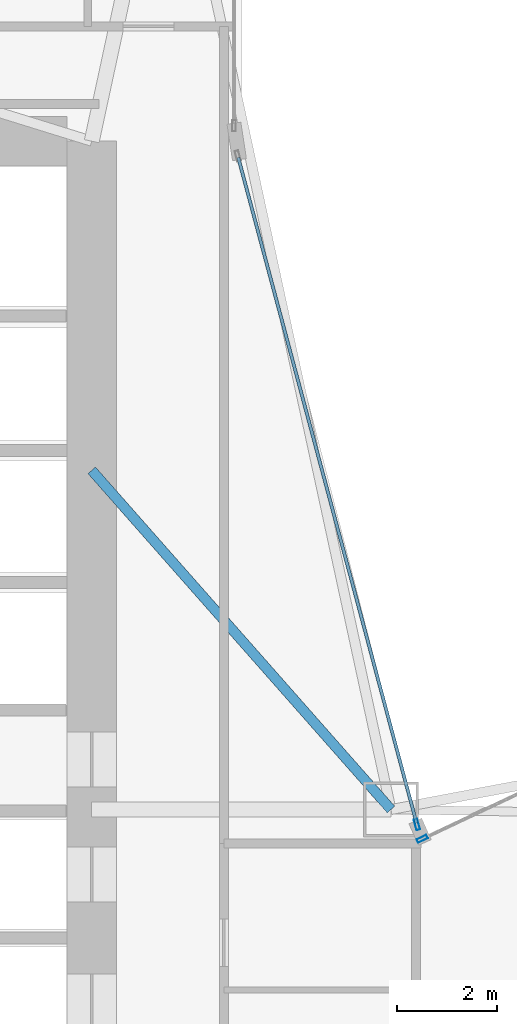
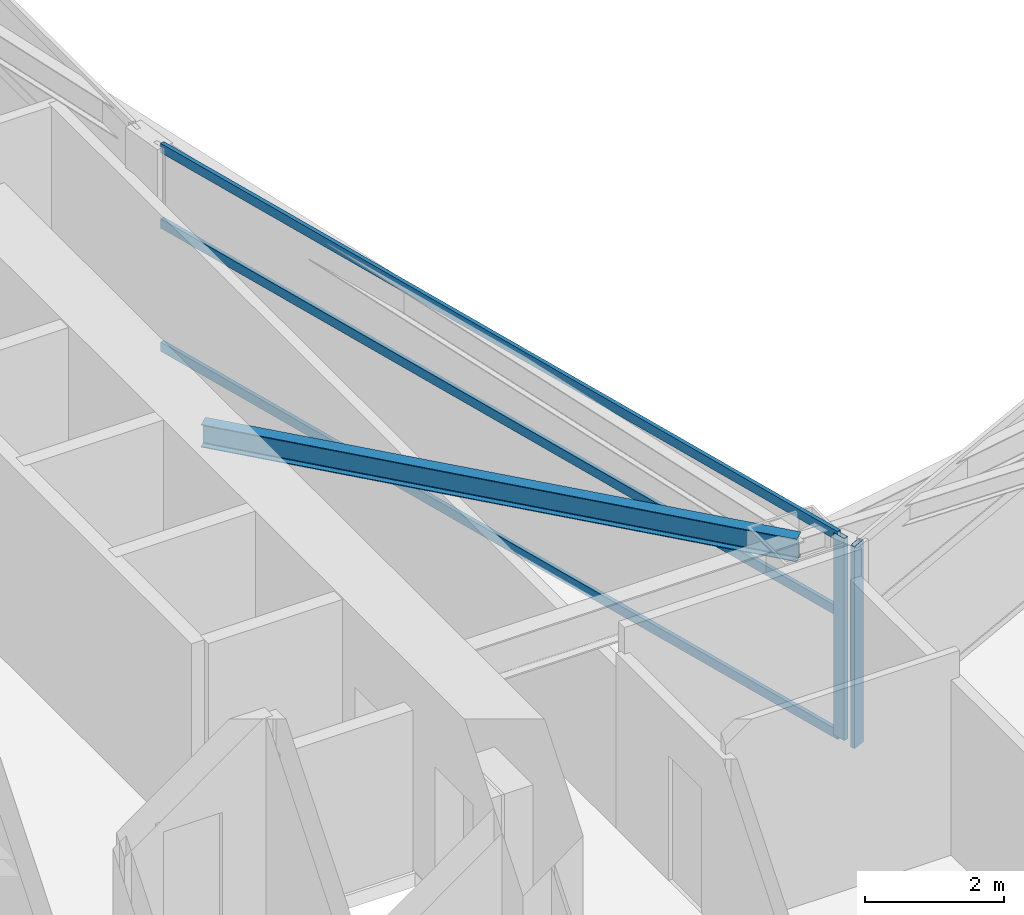
# One storey, part 10 of 30: 5 members, 1 beam, 2 elements without a shape of their own.
"""IFC4 building model written with IfcOpenShell, lengths in metres."""

import ifcopenshell
import ifcopenshell.guid

model = None  # the IFC model being written
_history = None  # IfcOwnerHistory: only IFC2X3 demands one
_inside = {}  # id of a spatial element -> (the spatial element, [elements in it])
_under = {}  # id of a project, library or spatial element -> (it, [spatial elements below it])
_declared = {}  # id of a project -> (the project, [libraries it declares])
_typed = {}  # id of a type object -> (the type object, [elements of that type])
_made_of = {}  # id of a material, layer set ... -> (it, [elements and type objects made of it])


def new_model(schema):
    """Start an empty IFC model of exactly this schema.

    Asked for "IFC4X3", IfcOpenShell would pick the latest addendum, in which some entities
    have other attributes; the version numbers below select the first issue.
    IFC2X3 requires an IfcOwnerHistory on every rooted entity: one is made here for all.
    """
    global model, _history
    if schema == "IFC4X3":
        model = ifcopenshell.file(schema_version=(4, 3, 0, 0))
    else:
        model = ifcopenshell.file(schema=schema)
    _inside.clear()
    _under.clear()
    _declared.clear()
    _typed.clear()
    _made_of.clear()
    _history = None
    if model.schema == "IFC2X3":
        org = make("IfcOrganization", Name="unknown")
        user = make(
            "IfcPersonAndOrganization",
            ThePerson=make("IfcPerson", FamilyName="unknown"),
            TheOrganization=org,
        )
        app = make(
            "IfcApplication",
            ApplicationDeveloper=org,
            Version="unknown",
            ApplicationFullName="unknown",
            ApplicationIdentifier="unknown",
        )
        _history = make(
            "IfcOwnerHistory",
            OwningUser=user,
            OwningApplication=app,
            ChangeAction="ADDED",
            CreationDate=0,
        )
    return model


def make(cls, **values):
    """One entity of the class cls with the attributes given. An attribute that is None is left unset."""
    return model.create_entity(
        cls, **{name: value for name, value in values.items() if value is not None}
    )


def rooted(cls, **values):
    """An entity with a GlobalId (a new one), such as an element, a storey or a relation."""
    return make(cls, GlobalId=ifcopenshell.guid.new(), OwnerHistory=_history, **values)


def si_unit(unit_type, name, prefix=None):
    """IfcSIUnit, for example si_unit("LENGTHUNIT", "METRE", prefix="MILLI")."""
    return make("IfcSIUnit", UnitType=unit_type, Prefix=prefix, Name=name)


def assignment(units):
    """IfcUnitAssignment: the units of a project."""
    return None if units is None else make("IfcUnitAssignment", Units=units)


def point(xyz):
    """IfcCartesianPoint."""
    return None if xyz is None else make("IfcCartesianPoint", Coordinates=xyz)


def direction(xyz):
    """IfcDirection."""
    return None if xyz is None else make("IfcDirection", DirectionRatios=xyz)


def frame(location, z_axis=None, x_axis=None):
    """IfcAxis2Placement3D, a coordinate frame: its origin and axes. An axis left out is left unset."""
    return make(
        "IfcAxis2Placement3D",
        Location=point(location),
        Axis=direction(z_axis),
        RefDirection=direction(x_axis),
    )


def frame_2d(location, x_axis=None):
    """IfcAxis2Placement2D, a coordinate frame in the plane: its origin and x axis."""
    return make(
        "IfcAxis2Placement2D", Location=point(location), RefDirection=direction(x_axis)
    )


def origin():
    """The frame at (0, 0, 0) with its axes left unset."""
    return frame((0.0, 0.0, 0.0))


def origin_2d():
    """The frame at (0, 0) in the plane with its x axis left unset."""
    return frame_2d((0.0, 0.0))


def place(relative_to, where):
    """IfcLocalPlacement: puts the frame where relative to a parent placement (None: the world)."""
    return make(
        "IfcLocalPlacement", PlacementRelTo=relative_to, RelativePlacement=where
    )


def context(
    kind, dimensions, precision=None, world=None, true_north=None, identifier=None
):
    """IfcGeometricRepresentationContext, for example the 3D "Model" context."""
    return make(
        "IfcGeometricRepresentationContext",
        ContextIdentifier=identifier,
        ContextType=kind,
        CoordinateSpaceDimension=dimensions,
        Precision=precision,
        WorldCoordinateSystem=world,
        TrueNorth=true_north,
    )


def subcontext(parent, identifier, kind, view, scale=None):
    """IfcGeometricRepresentationSubContext, for example "Body" below "Model"."""
    return make(
        "IfcGeometricRepresentationSubContext",
        ContextIdentifier=identifier,
        ContextType=kind,
        ParentContext=parent,
        TargetScale=scale,
        TargetView=view,
    )


def project(units=None, contexts=None):
    """IfcProject with its units and contexts."""
    return rooted(
        "IfcProject",
        Name="project",
        RepresentationContexts=contexts,
        UnitsInContext=assignment(units),
    )


def spatial(cls, under=None, at=None, **own):
    """A site, building, storey or space (cls), placed at a placement, below another one or the project."""
    s = rooted(cls, ObjectPlacement=at, **own)
    if under is not None:
        _under.setdefault(under.id(), (under, []))[1].append(s)
    return s


def profile(cls, at=None, kind="AREA", **sizes):
    """A parametric profile (cls). Its sizes go by their IFC names, for example OverallWidth=200.0."""
    return make(cls, ProfileType=kind, Position=at, **sizes)


def hollow_rectangle(**sizes):
    """IfcRectangleHollowProfileDef."""
    return profile("IfcRectangleHollowProfileDef", **sizes)


def i_section(**sizes):
    """IfcIShapeProfileDef."""
    return profile("IfcIShapeProfileDef", **sizes)


def extrude(swept, where, along, depth):
    """IfcExtrudedAreaSolid: the profile swept, set in the frame where, extruded along a direction by depth."""
    return make(
        "IfcExtrudedAreaSolid",
        SweptArea=swept,
        Position=where,
        ExtrudedDirection=direction(along),
        Depth=depth,
    )


def shape(context_of_items, identifier, shape_type, items):
    """IfcShapeRepresentation: the items that make up one representation, for example the "Body"."""
    return make(
        "IfcShapeRepresentation",
        ContextOfItems=context_of_items,
        RepresentationIdentifier=identifier,
        RepresentationType=shape_type,
        Items=items,
    )


def material(Name=None, Category=None):
    """IfcMaterial."""
    return make("IfcMaterial", Name=Name, Category=Category)


def layer(
    of_material, thickness, ventilated=None, Name=None, Category=None, Priority=None
):
    """IfcMaterialLayer: one layer of a wall or slab, of a material (None: an air gap)."""
    return make(
        "IfcMaterialLayer",
        Material=of_material,
        LayerThickness=thickness,
        IsVentilated=ventilated,
        Name=Name,
        Category=Category,
        Priority=Priority,
    )


def layer_set(layers, Name=None):
    """IfcMaterialLayerSet."""
    return make("IfcMaterialLayerSet", MaterialLayers=layers, LayerSetName=Name)


def material_profile(
    of_material, cross_section, Name=None, Category=None, Priority=None
):
    """IfcMaterialProfile: a cross section and its material."""
    return make(
        "IfcMaterialProfile",
        Name=Name,
        Material=of_material,
        Profile=cross_section,
        Priority=Priority,
        Category=Category,
    )


def profile_set(profiles, Name=None, composite=None):
    """IfcMaterialProfileSet."""
    return make(
        "IfcMaterialProfileSet",
        Name=Name,
        MaterialProfiles=profiles,
        CompositeProfile=composite,
    )


def made_of(thing, what):
    """Note that an element or type object is made of a material, layer set ...; save() writes the relation."""
    if what is not None:
        _made_of.setdefault(what.id(), (what, []))[1].append(thing)
    return thing


def type_object(cls, material=None, **own):
    """A type object (cls), such as IfcWallType, which elements share."""
    return made_of(rooted(cls, **own), material)


def element(
    cls,
    number,
    at=None,
    inside=None,
    cuts=None,
    type_object=None,
    material=None,
    context=None,
    identifier="Body",
    shape_type=None,
    held_by="IfcProductDefinitionShape",
    body=None,
    shapes=None,
    **own,
):
    """One element of the class cls, such as IfcWall. Its Tag is "e" and its number.

    at: its placement. inside: the storey or other place that contains it. cuts: it is an
    opening in that element (IfcRelVoidsElement). A single representation is given by context,
    identifier, shape_type and body (its items); several are given by shapes. held_by: the class
    of the entity that holds the representations. save() writes the other relations.
    """
    e = rooted(cls, Tag="e%d" % number, ObjectPlacement=at, **own)
    if body is not None:
        shapes = [shape(context, identifier, shape_type, body)]
    if shapes is not None:
        e.Representation = make(held_by, Representations=shapes)
    if inside is not None:
        _inside.setdefault(inside.id(), (inside, []))[1].append(e)
    if cuts is not None:
        rooted(
            "IfcRelVoidsElement", RelatingBuildingElement=cuts, RelatedOpeningElement=e
        )
    if type_object is not None:
        _typed.setdefault(type_object.id(), (type_object, []))[1].append(e)
    return made_of(e, material)


def aggregate(whole, parts):
    """IfcRelAggregates: a whole, such as a stair, and the parts it consists of."""
    return rooted("IfcRelAggregates", RelatingObject=whole, RelatedObjects=parts)


def save(model, path):
    """Write the relations noted so far, then the file.

    IfcRelAggregates (storeys below a building ...), IfcRelContainedInSpatialStructure (elements
    in a storey), IfcRelDefinesByType, IfcRelAssociatesMaterial and IfcRelDeclares: one each for
    every whole, place, type object, material and project.
    """
    for whole, parts in _under.values():
        aggregate(whole, parts)
    for where, things in _inside.values():
        rooted(
            "IfcRelContainedInSpatialStructure",
            RelatedElements=things,
            RelatingStructure=where,
        )
    for kind, things in _typed.values():
        rooted("IfcRelDefinesByType", RelatedObjects=things, RelatingType=kind)
    for what, things in _made_of.values():
        rooted("IfcRelAssociatesMaterial", RelatedObjects=things, RelatingMaterial=what)
    for by, libraries in _declared.values():
        rooted("IfcRelDeclares", RelatingContext=by, RelatedDefinitions=libraries)
    model.write(path)


model = new_model("IFC4")

# Units and contexts
model_context = context("Model", 3, precision=1e-05, world=origin(), true_north=direction((0.0, 1.0)))
body_context = subcontext(model_context, "Body", "Model", "MODEL_VIEW")
ifc_project = project(units=[si_unit("LENGTHUNIT", "METRE"), si_unit("AREAUNIT", "SQUARE_METRE"), si_unit("VOLUMEUNIT", "CUBIC_METRE"), si_unit("PLANEANGLEUNIT", "RADIAN"), si_unit("MASSUNIT", "GRAM", prefix="KILO")], contexts=[model_context])

# Site, building, storey
site_placement = place(None, origin())
site = spatial("IfcSite", under=ifc_project, at=site_placement, CompositionType="ELEMENT")
building_placement = place(site_placement, origin())
building = spatial("IfcBuilding", under=site, at=building_placement, Name="Calvorn Quay Hotel", CompositionType="ELEMENT")
storey_placement = place(building_placement, frame((0.0, 0.0, 54.60009765625)))
storey = spatial("IfcBuildingStorey", under=building, at=storey_placement, Name="L12", CompositionType="ELEMENT", Elevation=54.60009765625)

# Beam
ifc_material_1 = material(Name="Steel Q355B", Category="steel")
ifc_material_profile_1 = material_profile(ifc_material_1, i_section(OverallWidth=0.199951171875, OverallDepth=0.39990234375, WebThickness=0.008056640625, FlangeThickness=0.012939453125, FilletRadius=0.01611328125, at=origin_2d()), Name="HN400x200x8x13")
ifc_profile_set_1 = profile_set([ifc_material_profile_1], Name="Steel Q355B")
beam_type = type_object("IfcBeamType", Name="BM-JOIST-TYP", PredefinedType="JOIST", material=ifc_profile_set_1)
beam_placement = place(storey_placement, frame((15.0, 31.800048828125, 3.33984375), z_axis=(0.661618965899, -0.749840212287, 0.0), x_axis=(0.749840212287, 0.661618965899, 0.0)))
element("IfcBeam", 1, at=beam_placement, inside=storey, type_object=beam_type, Name="Beam BJ-L12-C1", PredefinedType="JOIST", context=body_context, shape_type="SweptSolid", body=[
    extrude(i_section(OverallWidth=0.199951171875, OverallDepth=0.39990234375, WebThickness=0.008056640625, FlangeThickness=0.012939453125, FilletRadius=0.01611328125, at=origin_2d()), origin(), (0.0, 0.0, 1.0), 9.068603515625),
])

# Curtain wall, member
ifc_material_2 = material(Name="Pale Anodised Aluminium and Low-E Glass", Category="aluminium")
ifc_layer = layer(ifc_material_2, 0.219970703125)
ifc_layer_set = layer_set([ifc_layer], Name="CW-SYS-Z1")
curtain_wall_type = type_object("IfcCurtainWallType", Name="CW-SYS-Z1", PredefinedType="NOTDEFINED", material=ifc_layer_set)
curtain_wall_1_placement = place(storey_placement, origin())
curtain_wall_1 = element("IfcCurtainWall", 2, at=curtain_wall_1_placement, inside=storey, type_object=curtain_wall_type, Name="Inner Court Curtain Wall L12-NE1", PredefinedType="NOTDEFINED")
ifc_material_3 = material(Name="Pale Anodised Aluminium 6063-T6", Category="aluminium")
ifc_material_profile_2 = material_profile(ifc_material_3, hollow_rectangle(XDim=0.074951171875, YDim=0.219970703125, WallThickness=0.00439453125, at=origin_2d()), Name="ALU-M220x75x4.5")
ifc_profile_set_2 = profile_set([ifc_material_profile_2], Name="Pale Anodised Aluminium 6063-T6")
member_type_1 = type_object("IfcMemberType", Name="CW-SYS-Z1-MUL", PredefinedType="MULLION", material=ifc_profile_set_2)
member_1_placement = place(storey_placement, frame((21.627197265625, 24.412841796875, 0.0), z_axis=(0.0, 0.0, 1.0), x_axis=(0.427006305415, -0.904248646743, 0.0)))
member_1 = element("IfcMember", 3, at=member_1_placement, type_object=member_type_1, Name="CW-L12-NE1 mullion 4", PredefinedType="MULLION", context=body_context, shape_type="SweptSolid", body=[
    extrude(hollow_rectangle(XDim=0.074951171875, YDim=0.219970703125, WallThickness=0.00439453125, at=origin_2d()), origin(), (0.0, 0.0, 1.0), 3.559814453125),
])
aggregate(curtain_wall_1, [member_1])

# Curtain wall, members
curtain_wall_2_placement = place(storey_placement, origin())
curtain_wall_2 = element("IfcCurtainWall", 4, at=curtain_wall_2_placement, inside=storey, type_object=curtain_wall_type, Name="Inner Court Curtain Wall L12-IC1", PredefinedType="NOTDEFINED")
member_2_placement = place(storey_placement, frame((21.520263671875, 24.698974609375, 0.0), z_axis=(0.0, 0.0, 1.0), x_axis=(-0.96593652056, -0.25877913024, 0.0)))
member_2 = element("IfcMember", 5, at=member_2_placement, type_object=member_type_1, Name="CW-L12-IC1 mullion 1", PredefinedType="MULLION", context=body_context, shape_type="SweptSolid", body=[
    extrude(hollow_rectangle(XDim=0.074951171875, YDim=0.219970703125, WallThickness=0.00439453125, at=origin_2d()), origin(), (0.0, 0.0, 1.0), 3.559814453125),
])
ifc_material_4 = material(Name="Pale Anodised Aluminium 6063-T6", Category="aluminium")
ifc_material_profile_3 = material_profile(ifc_material_4, hollow_rectangle(XDim=0.06494140625, YDim=0.1650390625, WallThickness=0.00341796875, at=origin_2d()), Name="ALU-T165x65x3.5")
ifc_profile_set_3 = profile_set([ifc_material_profile_3], Name="Pale Anodised Aluminium 6063-T6")
member_type_2 = type_object("IfcMemberType", Name="CW-SYS-Z1-TRN", PredefinedType="USERDEFINED", material=ifc_profile_set_3)
member_3_placement = place(storey_placement, frame((21.512451171875, 24.72802734375, 0.02978515625), z_axis=(-0.258781136883, 0.965935982969, 0.0), x_axis=(-0.965935982969, -0.258781136883, 0.0)))
member_3 = element("IfcMember", 6, at=member_3_placement, type_object=member_type_2, Name="CW-L12-IC1 transom 1.1", ObjectType="TRANSOM", PredefinedType="USERDEFINED", context=body_context, shape_type="SweptSolid", body=[
    extrude(hollow_rectangle(XDim=0.06494140625, YDim=0.1650390625, WallThickness=0.00341796875, at=origin_2d()), origin(), (0.0, 0.0, 1.0), 13.814453125),
])
member_4_placement = place(storey_placement, frame((21.512451171875, 24.72802734375, 2.199951171875), z_axis=(-0.258781136883, 0.965935982969, 0.0), x_axis=(-0.965935982969, -0.258781136883, 0.0)))
member_4 = element("IfcMember", 7, at=member_4_placement, type_object=member_type_2, Name="CW-L12-IC1 transom 1.2", ObjectType="TRANSOM", PredefinedType="USERDEFINED", context=body_context, shape_type="SweptSolid", body=[
    extrude(hollow_rectangle(XDim=0.06494140625, YDim=0.1650390625, WallThickness=0.00341796875, at=origin_2d()), origin(), (0.0, 0.0, 1.0), 13.814453125),
])
member_5_placement = place(storey_placement, frame((21.512451171875, 24.72802734375, 3.52978515625), z_axis=(-0.258781136883, 0.965935982969, 0.0), x_axis=(-0.965935982969, -0.258781136883, 0.0)))
member_5 = element("IfcMember", 8, at=member_5_placement, type_object=member_type_2, Name="CW-L12-IC1 transom 1.3", ObjectType="TRANSOM", PredefinedType="USERDEFINED", context=body_context, shape_type="SweptSolid", body=[
    extrude(hollow_rectangle(XDim=0.06494140625, YDim=0.1650390625, WallThickness=0.00341796875, at=origin_2d()), origin(), (0.0, 0.0, 1.0), 13.814453125),
])
aggregate(curtain_wall_2, [member_2, member_3, member_4, member_5])

save(model, "model.ifc")
